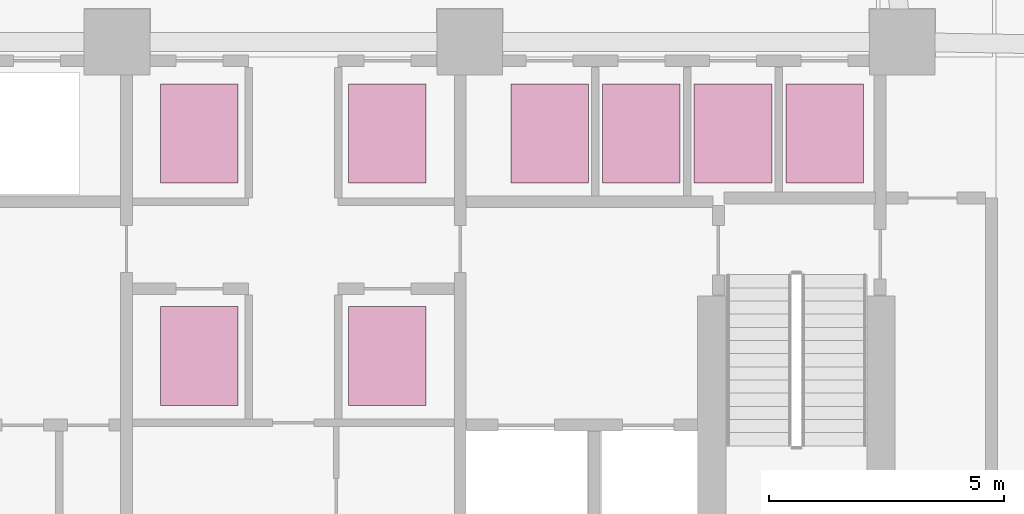
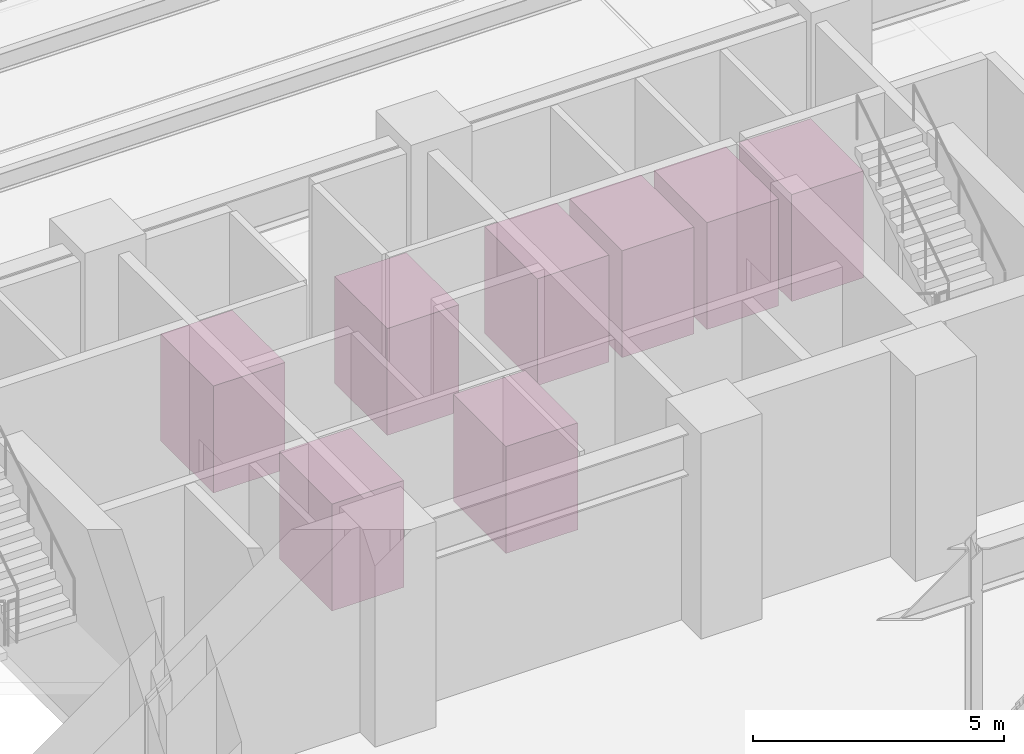
# One storey, part 26 of 26: 8 transport elements.
"""IFC4 building model written with IfcOpenShell, lengths in metres."""

from ifc_helpers import new_model, si_unit, direction, frame, origin, origin_2d, place, context, subcontext, project, spatial, rectangle, extrude, material, type_object, element, save


model = new_model("IFC4")

# Units and contexts
model_context = context("Model", 3, precision=1e-05, world=origin(), true_north=direction((0.0, 1.0)))
body_context = subcontext(model_context, "Body", "Model", "MODEL_VIEW")
ifc_project = project(units=[si_unit("LENGTHUNIT", "METRE"), si_unit("AREAUNIT", "SQUARE_METRE"), si_unit("VOLUMEUNIT", "CUBIC_METRE"), si_unit("PLANEANGLEUNIT", "RADIAN"), si_unit("MASSUNIT", "GRAM", prefix="KILO")], contexts=[model_context])

# Site, building, storey
site_placement = place(None, origin())
site = spatial("IfcSite", under=ifc_project, at=site_placement, CompositionType="ELEMENT")
building_placement = place(site_placement, origin())
building = spatial("IfcBuilding", under=site, at=building_placement, Name="Quenlor Broadcast Tower", CompositionType="ELEMENT")
storey_placement = place(building_placement, origin())
storey = spatial("IfcBuildingStorey", under=building, at=storey_placement, Name="L00", CompositionType="ELEMENT", Elevation=0.0)

# Transport elements
ifc_material = material(Name="Anodised Aluminium", Category="aluminium")
transport_element_type = type_object("IfcTransportElementType", Name="High Speed Passenger Lift Car 1650x2100", PredefinedType="ELEVATOR", material=ifc_material)
for number, where, z_axis, x_axis, name in (
    (1, (-2.0, -6.75, 0.0), (0.0, 0.0, 1.0), (1.0, 0.0, 0.0), "Passenger Lift Mid Rise 1 (PL-M1)"),
    (2, (2.0, -6.75, 0.0), (0.0, 0.0, 1.0), (1.0, 0.0, 0.0), "Passenger Lift Mid Rise 2 (PL-M2)"),
    (3, (-2.0, -11.47998046875, 0.0), (0.0, 0.0, 1.0), (1.0, 0.0, 0.0), "Passenger Lift Mid Rise 3 (PL-M3)"),
    (4, (2.0, -11.47998046875, 0.0), (0.0, 0.0, 1.0), (1.0, 0.0, 0.0), "Passenger Lift Mid Rise 4 (PL-M4)"),
    (5, (5.449951171875, -6.75, 0.0), (0.0, 0.0, 1.0), (1.0, 0.0, 0.0), "Passenger Lift High Rise 1 (PL-H1)"),
    (6, (7.39990234375, -6.75, 0.0), (0.0, 0.0, 1.0), (1.0, 0.0, 0.0), "Passenger Lift High Rise 2 (PL-H2)"),
    (7, (9.35009765625, -6.75, 0.0), (0.0, 0.0, 1.0), (1.0, 0.0, 0.0), "Passenger Lift High Rise 3 (PL-H3)"),
    (8, (11.300048828125, -6.75, 0.0), (0.0, 0.0, 1.0), (1.0, 0.0, 0.0), "Passenger Lift High Rise 4 (PL-H4)"),
):
    element("IfcTransportElement", number, at=place(storey_placement, frame(where, z_axis=z_axis, x_axis=x_axis)), inside=storey, type_object=transport_element_type, Name=name, PredefinedType="ELEVATOR", context=body_context, shape_type="SweptSolid", body=[
        extrude(rectangle(XDim=1.64990234375, YDim=2.10009765625, at=origin_2d()), origin(), (0.0, 0.0, 1.0), 2.60009765625),
    ])

save(model, "model.ifc")
